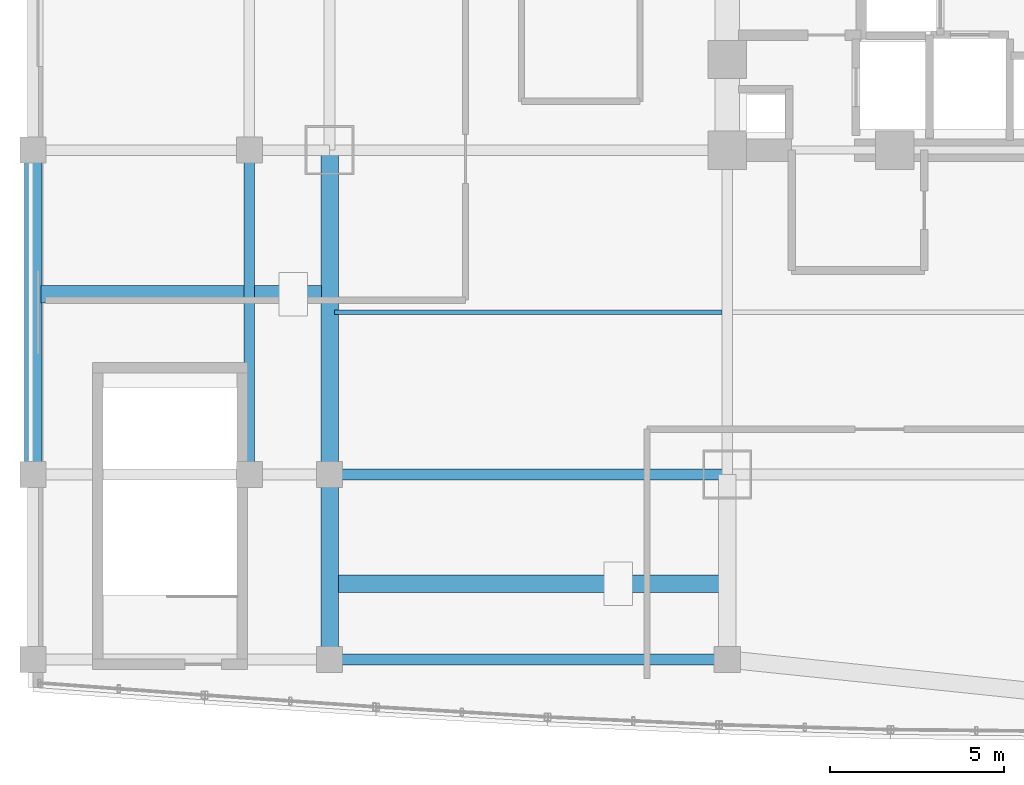
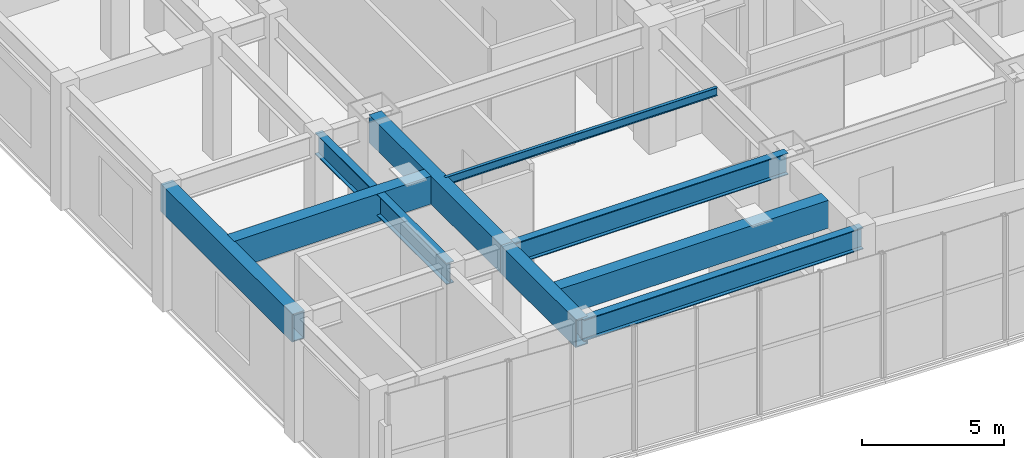
# One storey, part 3 of 19: 9 beams.
"""IFC4 building model written with IfcOpenShell, lengths in metres."""

from ifc_helpers import new_model, si_unit, direction, frame, origin, origin_2d, place, context, subcontext, project, spatial, hollow_rectangle, i_section, extrude, material, material_profile, profile_set, type_object, element, save


model = new_model("IFC4")

# Units and contexts
model_context = context("Model", 3, precision=1e-05, world=origin(), true_north=direction((0.0, 1.0)))
body_context = subcontext(model_context, "Body", "Model", "MODEL_VIEW")
ifc_project = project(units=[si_unit("LENGTHUNIT", "METRE"), si_unit("AREAUNIT", "SQUARE_METRE"), si_unit("VOLUMEUNIT", "CUBIC_METRE"), si_unit("PLANEANGLEUNIT", "RADIAN"), si_unit("MASSUNIT", "GRAM", prefix="KILO")], contexts=[model_context])

# Site, building, storey
site_placement = place(None, origin())
site = spatial("IfcSite", under=ifc_project, at=site_placement, CompositionType="ELEMENT")
building_placement = place(site_placement, origin())
building = spatial("IfcBuilding", under=site, at=building_placement, Name="Vantalir Tower", CompositionType="ELEMENT")
storey_placement = place(building_placement, frame((0.0, 0.0, 21.5)))
storey = spatial("IfcBuildingStorey", under=building, at=storey_placement, Name="L04", CompositionType="ELEMENT", Elevation=21.5)

# Beams
ifc_material_1 = material(Name="Steel S355", Category="steel")
ifc_material_profile_1 = material_profile(ifc_material_1, i_section(OverallWidth=0.1259765625, OverallDepth=0.35302734375, WebThickness=0.006591796875, FlangeThickness=0.0107421875, at=origin_2d()), Name="Steel S355")
ifc_profile_set_1 = profile_set([ifc_material_profile_1], Name="Steel S355")
beam_type_1 = type_object("IfcBeamType", Name="BM-JS-356x127", PredefinedType="JOIST", material=ifc_profile_set_1)
beam_1_placement = place(storey_placement, frame((10.64501953125, 13.14990234375, 5.10400390625), z_axis=(1.0, 0.0, 0.0), x_axis=(0.0, 1.0, 0.0)))
element("IfcBeam", 1, at=beam_1_placement, inside=storey, type_object=beam_type_1, Name="L04 Secondary Composite Joist 01", PredefinedType="JOIST", context=body_context, shape_type="SweptSolid", body=[
    extrude(i_section(OverallWidth=0.1259765625, OverallDepth=0.35302734375, WebThickness=0.006591796875, FlangeThickness=0.0107421875, at=origin_2d()), origin(), (0.0, 0.0, 1.0), 11.10986328125),
])
ifc_material_profile_2 = material_profile(ifc_material_1, i_section(OverallWidth=0.30810546875, OverallDepth=0.927001953125, WebThickness=0.01953125, FlangeThickness=0.031982421875, at=origin_2d()), Name="Steel S355")
ifc_profile_set_2 = profile_set([ifc_material_profile_2], Name="Steel S355")
beam_type_2 = type_object("IfcBeamType", Name="BM-PG-914x305", PredefinedType="USERDEFINED", material=ifc_profile_set_2)
for number, where, z_axis, x_axis, name in (
    (2, (10.5, 3.199951171875, 4.81591796875), (1.0, 0.0, 0.0), (0.0, 1.0, 0.0), "L04 Podium E-W Girder 02"),
    (3, (10.5, 8.5, 4.81591796875), (1.0, 0.0, 0.0), (0.0, 1.0, 0.0), "L04 Podium E-W Girder 09"),
):
    element("IfcBeam", number, at=place(storey_placement, frame(where, z_axis=z_axis, x_axis=x_axis)), inside=storey, type_object=beam_type_2, Name=name, ObjectType="GIRDER", PredefinedType="USERDEFINED", context=body_context, shape_type="SweptSolid", body=[
        extrude(i_section(OverallWidth=0.30810546875, OverallDepth=0.927001953125, WebThickness=0.01953125, FlangeThickness=0.031982421875, at=origin_2d()), origin(), (0.0, 0.0, 1.0), 11.39990234375),
    ])
beam_2_placement = place(storey_placement, frame((8.199951171875, 8.5, 4.81591796875), z_axis=(0.0, 1.0, 0.0), x_axis=(-1.0, 0.0, 0.0)))
element("IfcBeam", 4, at=beam_2_placement, inside=storey, type_object=beam_type_2, Name="L04 Podium N-S Girder 45", ObjectType="GIRDER", PredefinedType="USERDEFINED", context=body_context, shape_type="SweptSolid", body=[
    extrude(i_section(OverallWidth=0.30810546875, OverallDepth=0.927001953125, WebThickness=0.01953125, FlangeThickness=0.031982421875, at=origin_2d()), origin(), (0.0, 0.0, 1.0), 9.300048828125),
])
ifc_material_2 = material(Name="Steel S460", Category="steel")
ifc_material_profile_3 = material_profile(ifc_material_2, hollow_rectangle(XDim=0.5, YDim=1.199951171875, WallThickness=0.0400390625, at=origin_2d()), Name="Steel S460")
ifc_profile_set_3 = profile_set([ifc_material_profile_3], Name="Steel S460")
beam_type_3 = type_object("IfcBeamType", Name="BM-XG-1200x500", PredefinedType="USERDEFINED", material=ifc_profile_set_3)
beam_3_placement = place(storey_placement, frame((2.0, 8.5, 4.679931640625), z_axis=(0.0, 1.0, 0.0), x_axis=(-1.0, 0.0, 0.0)))
element("IfcBeam", 5, at=beam_3_placement, inside=storey, type_object=beam_type_3, Name="L04 Ring Transfer Girder PRI-W1", ObjectType="GIRDER", PredefinedType="USERDEFINED", context=body_context, shape_type="SweptSolid", body=[
    extrude(hollow_rectangle(XDim=0.5, YDim=1.199951171875, WallThickness=0.0400390625, at=origin_2d()), origin(), (0.0, 0.0, 1.0), 9.300048828125),
])
beam_4_placement = place(storey_placement, frame((10.5, 3.199951171875, 4.679931640625), z_axis=(0.0, 1.0, 0.0), x_axis=(-1.0, 0.0, 0.0)))
element("IfcBeam", 6, at=beam_4_placement, inside=storey, type_object=beam_type_3, Name="L04 Ring Transfer Girder PRI-X2A", ObjectType="GIRDER", PredefinedType="USERDEFINED", context=body_context, shape_type="SweptSolid", body=[
    extrude(hollow_rectangle(XDim=0.5, YDim=1.199951171875, WallThickness=0.0400390625, at=origin_2d()), origin(), (0.0, 0.0, 1.0), 5.300048828125),
])
beam_5_placement = place(storey_placement, frame((10.5, 8.5, 4.679931640625), z_axis=(0.0, 1.0, 0.0), x_axis=(-1.0, 0.0, 0.0)))
element("IfcBeam", 7, at=beam_5_placement, inside=storey, type_object=beam_type_3, Name="L04 Ring Transfer Girder PRI-X2B", ObjectType="GIRDER", PredefinedType="USERDEFINED", context=body_context, shape_type="SweptSolid", body=[
    extrude(hollow_rectangle(XDim=0.5, YDim=1.199951171875, WallThickness=0.0400390625, at=origin_2d()), origin(), (0.0, 0.0, 1.0), 9.300048828125),
])
beam_6_placement = place(storey_placement, frame((10.72509765625, 5.3720703125, 4.679931640625), z_axis=(1.0, 0.0, 0.0), x_axis=(0.0, 1.0, 0.0)))
element("IfcBeam", 8, at=beam_6_placement, inside=storey, type_object=beam_type_3, Name="L04 Ring Transfer Girder SEC-RC09", ObjectType="GIRDER", PredefinedType="USERDEFINED", context=body_context, shape_type="SweptSolid", body=[
    extrude(hollow_rectangle(XDim=0.5, YDim=1.199951171875, WallThickness=0.0400390625, at=origin_2d()), origin(), (0.0, 0.0, 1.0), 10.949951171875),
])
beam_7_placement = place(storey_placement, frame((2.22509765625, 13.66796875, 4.679931640625), z_axis=(1.0, 0.0, 0.0), x_axis=(0.0, 1.0, 0.0)))
element("IfcBeam", 9, at=beam_7_placement, inside=storey, type_object=beam_type_3, Name="L04 Ring Transfer Girder SEC-RC08", ObjectType="GIRDER", PredefinedType="USERDEFINED", context=body_context, shape_type="SweptSolid", body=[
    extrude(hollow_rectangle(XDim=0.5, YDim=1.199951171875, WallThickness=0.0400390625, at=origin_2d()), origin(), (0.0, 0.0, 1.0), 8.0498046875),
])

save(model, "model.ifc")
